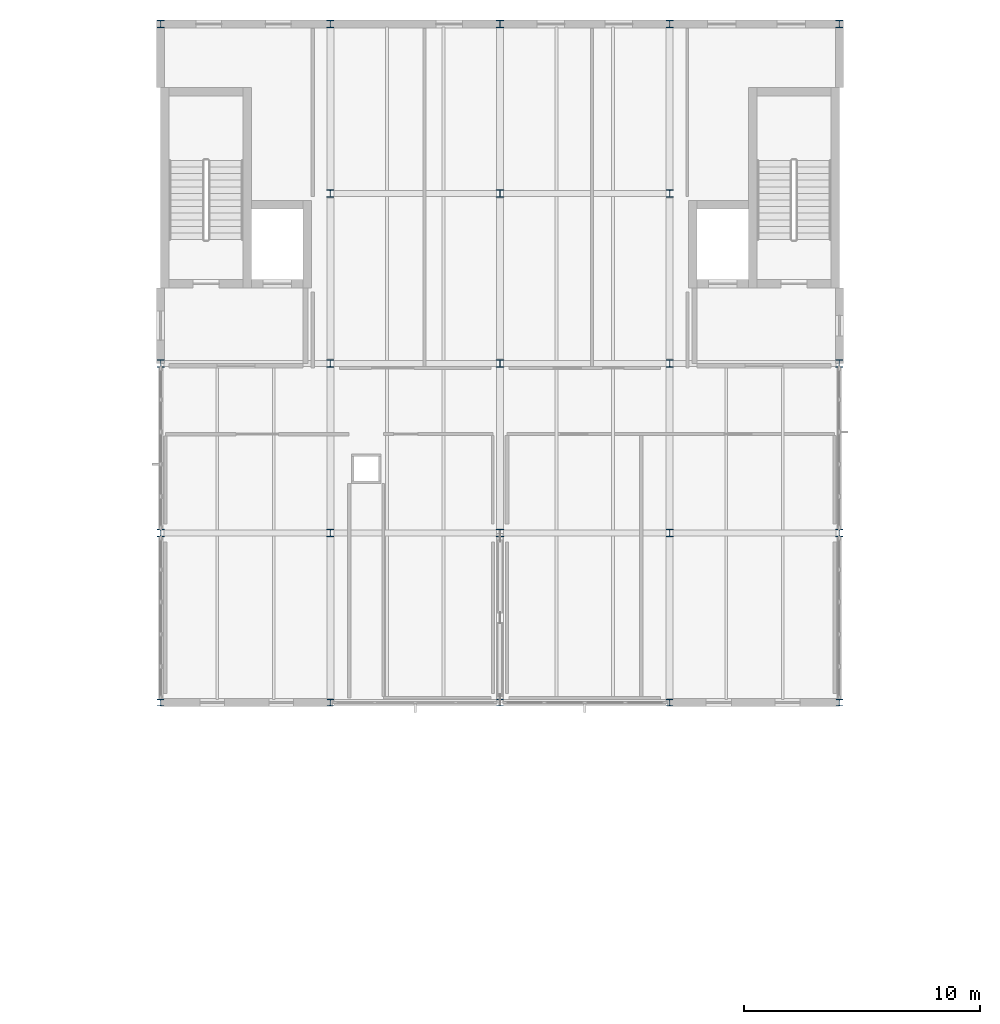
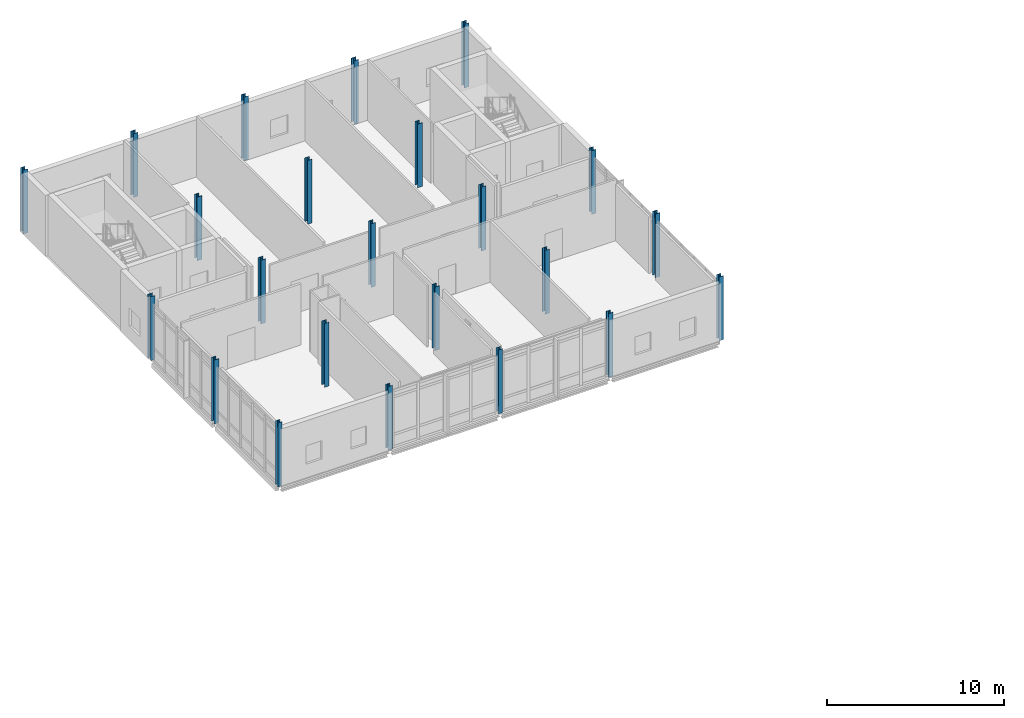
# One storey, part 6 of 43: 23 columns.
"""IFC4 building model written with IfcOpenShell, lengths in metres."""

from ifc_helpers import new_model, si_unit, direction, frame, origin, origin_2d, place, context, subcontext, project, spatial, i_section, extrude, material, material_profile, profile_set, type_object, element, save


model = new_model("IFC4")

# Units and contexts
model_context = context("Model", 3, precision=1e-05, world=origin(), true_north=direction((0.0, 1.0)))
body_context = subcontext(model_context, "Body", "Model", "MODEL_VIEW")
ifc_project = project(units=[si_unit("LENGTHUNIT", "METRE"), si_unit("AREAUNIT", "SQUARE_METRE"), si_unit("VOLUMEUNIT", "CUBIC_METRE"), si_unit("PLANEANGLEUNIT", "RADIAN"), si_unit("MASSUNIT", "GRAM", prefix="KILO")], contexts=[model_context])

# Site, building, storey
site_placement = place(None, origin())
site = spatial("IfcSite", under=ifc_project, at=site_placement, CompositionType="ELEMENT")
building_placement = place(site_placement, origin())
building = spatial("IfcBuilding", under=site, at=building_placement, Name="Zarrinpeak Specialist Clinic", CompositionType="ELEMENT")
storey_placement = place(building_placement, frame((0.0, 0.0, 18.39990234375)))
storey = spatial("IfcBuildingStorey", under=building, at=storey_placement, Name="L04", CompositionType="ELEMENT", Elevation=18.39990234375)

# Columns
ifc_material = material(Name="Steel S355", Category="steel")
ifc_material_profile_1 = material_profile(ifc_material, i_section(OverallWidth=0.280029296875, OverallDepth=0.280029296875, WebThickness=0.010498046875, FlangeThickness=0.01806640625, FilletRadius=0.02392578125, at=origin_2d()), Name="HEB 280")
ifc_profile_set_1 = profile_set([ifc_material_profile_1], Name="Steel S355")
column_type_1 = type_object("IfcColumnType", Name="COL-HEB280", PredefinedType="COLUMN", material=ifc_profile_set_1)
for number, where, z_axis, x_axis, name in (
    (1, (36.0, 89.199951171875, 0.0), (0.0, 0.0, 1.0), (1.0, 0.0, 0.0), "L04 Structural Column COL-L04-044"),
    (2, (43.199951171875, 89.199951171875, 0.0), (0.0, 0.0, 1.0), (1.0, 0.0, 0.0), "L04 Structural Column COL-L04-052"),
    (3, (50.39990234375, 89.199951171875, 0.0), (0.0, 0.0, 1.0), (1.0, 0.0, 0.0), "L04 Structural Column COL-L04-061"),
    (4, (57.60009765625, 89.199951171875, 0.0), (0.0, 0.0, 1.0), (1.0, 0.0, 0.0), "L04 Structural Column COL-L04-069"),
    (5, (64.800048828125, 89.199951171875, 0.0), (0.0, 0.0, 1.0), (1.0, 0.0, 0.0), "L04 Structural Column COL-L04-080"),
):
    element("IfcColumn", number, at=place(storey_placement, frame(where, z_axis=z_axis, x_axis=x_axis)), inside=storey, type_object=column_type_1, Name=name, PredefinedType="COLUMN", context=body_context, shape_type="SweptSolid", body=[
        extrude(i_section(OverallWidth=0.280029296875, OverallDepth=0.280029296875, WebThickness=0.010498046875, FlangeThickness=0.01806640625, FilletRadius=0.02392578125, at=origin_2d()), origin(), (0.0, 0.0, 1.0), 4.400146484375),
    ])
ifc_material_profile_2 = material_profile(ifc_material, i_section(OverallWidth=0.300048828125, OverallDepth=0.320068359375, WebThickness=0.011474609375, FlangeThickness=0.0205078125, FilletRadius=0.027099609375, at=origin_2d()), Name="HEB 320")
ifc_profile_set_2 = profile_set([ifc_material_profile_2], Name="Steel S355")
column_type_2 = type_object("IfcColumnType", Name="COL-HEB320", PredefinedType="COLUMN", material=ifc_profile_set_2)
for number, where, z_axis, x_axis, name in (
    (6, (36.0, 96.39990234375, 0.0), (0.0, 0.0, 1.0), (1.0, 0.0, 0.0), "L04 Structural Column COL-L04-045"),
    (7, (36.0, 103.60009765625, 0.0), (0.0, 0.0, 1.0), (1.0, 0.0, 0.0), "L04 Structural Column COL-L04-046"),
    (8, (36.0, 118.0, 0.0), (0.0, 0.0, 1.0), (1.0, 0.0, 0.0), "L04 Structural Column COL-L04-047"),
    (9, (43.199951171875, 96.39990234375, 0.0), (0.0, 0.0, 1.0), (1.0, 0.0, 0.0), "L04 Structural Column COL-L04-053"),
    (10, (43.199951171875, 103.60009765625, 0.0), (0.0, 0.0, 1.0), (1.0, 0.0, 0.0), "L04 Structural Column COL-L04-054"),
    (11, (43.199951171875, 110.800048828125, 0.0), (0.0, 0.0, 1.0), (1.0, 0.0, 0.0), "L04 Structural Column COL-L04-055"),
    (12, (43.199951171875, 118.0, 0.0), (0.0, 0.0, 1.0), (1.0, 0.0, 0.0), "L04 Structural Column COL-L04-056"),
    (13, (50.39990234375, 96.39990234375, 0.0), (0.0, 0.0, 1.0), (1.0, 0.0, 0.0), "L04 Structural Column COL-L04-062"),
    (14, (50.39990234375, 103.60009765625, 0.0), (0.0, 0.0, 1.0), (1.0, 0.0, 0.0), "L04 Structural Column COL-L04-063"),
    (15, (50.39990234375, 110.800048828125, 0.0), (0.0, 0.0, 1.0), (1.0, 0.0, 0.0), "L04 Structural Column COL-L04-064"),
    (16, (50.39990234375, 118.0, 0.0), (0.0, 0.0, 1.0), (1.0, 0.0, 0.0), "L04 Structural Column COL-L04-065"),
    (17, (57.60009765625, 96.39990234375, 0.0), (0.0, 0.0, 1.0), (1.0, 0.0, 0.0), "L04 Structural Column COL-L04-070"),
    (18, (57.60009765625, 103.60009765625, 0.0), (0.0, 0.0, 1.0), (1.0, 0.0, 0.0), "L04 Structural Column COL-L04-071"),
    (19, (57.60009765625, 110.800048828125, 0.0), (0.0, 0.0, 1.0), (1.0, 0.0, 0.0), "L04 Structural Column COL-L04-072"),
    (20, (57.60009765625, 118.0, 0.0), (0.0, 0.0, 1.0), (1.0, 0.0, 0.0), "L04 Structural Column COL-L04-073"),
    (21, (64.800048828125, 96.39990234375, 0.0), (0.0, 0.0, 1.0), (1.0, 0.0, 0.0), "L04 Structural Column COL-L04-081"),
    (22, (64.800048828125, 103.60009765625, 0.0), (0.0, 0.0, 1.0), (1.0, 0.0, 0.0), "L04 Structural Column COL-L04-082"),
    (23, (64.800048828125, 118.0, 0.0), (0.0, 0.0, 1.0), (1.0, 0.0, 0.0), "L04 Structural Column COL-L04-083"),
):
    element("IfcColumn", number, at=place(storey_placement, frame(where, z_axis=z_axis, x_axis=x_axis)), inside=storey, type_object=column_type_2, Name=name, PredefinedType="COLUMN", context=body_context, shape_type="SweptSolid", body=[
        extrude(i_section(OverallWidth=0.300048828125, OverallDepth=0.320068359375, WebThickness=0.011474609375, FlangeThickness=0.0205078125, FilletRadius=0.027099609375, at=origin_2d()), origin(), (0.0, 0.0, 1.0), 4.400146484375),
    ])

save(model, "model.ifc")
